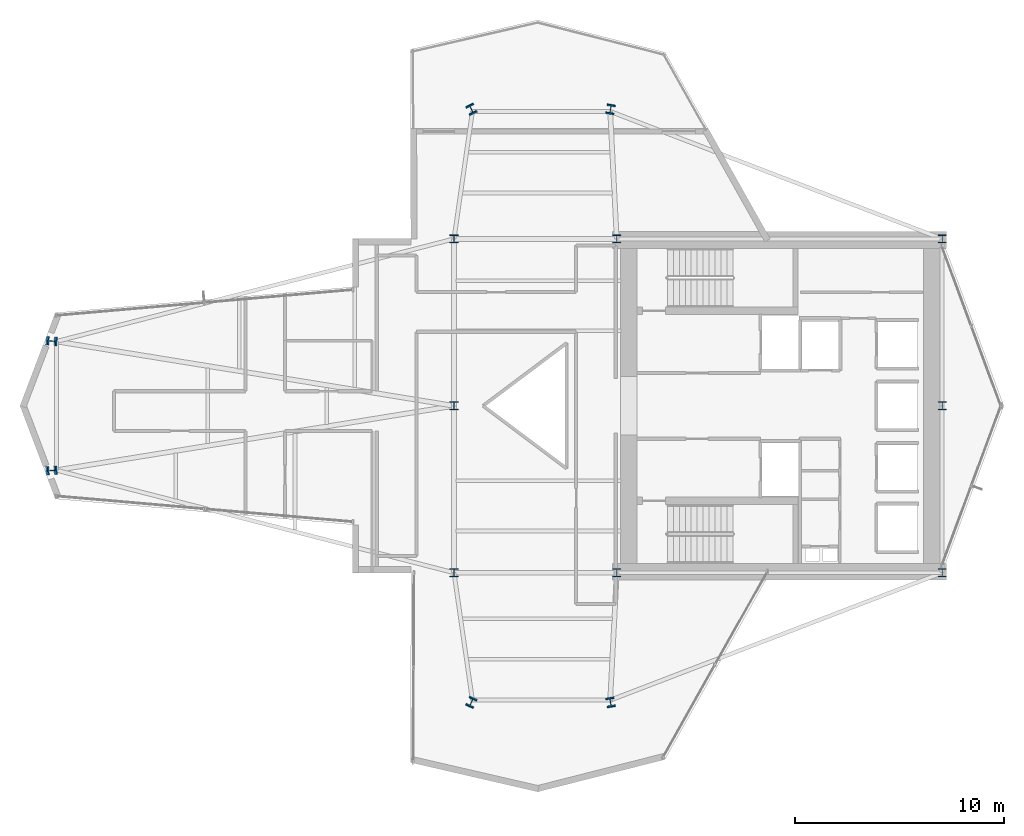
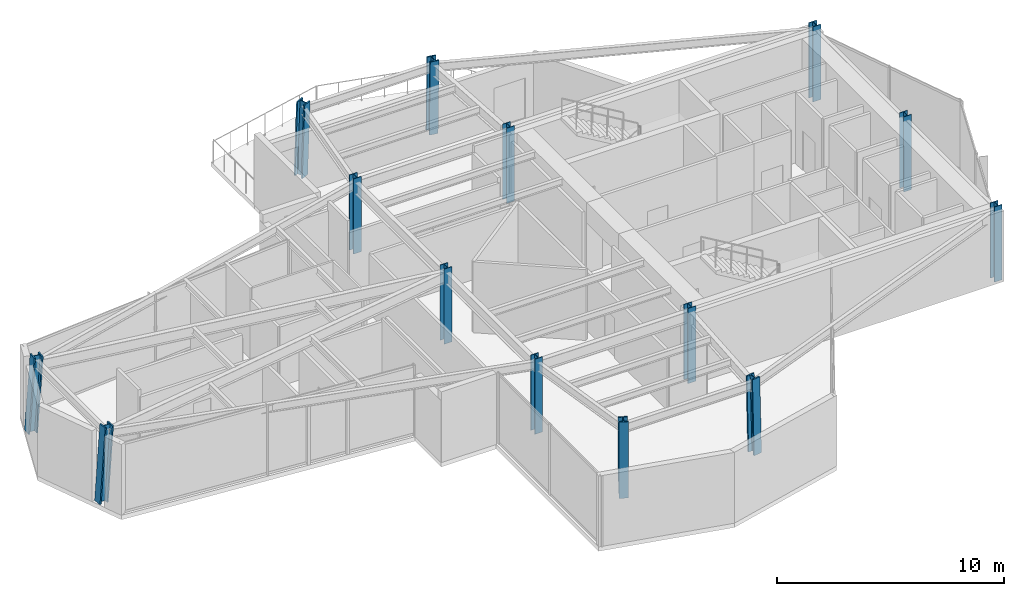
# One storey, part 1 of 23: 14 columns.
"""IFC4 building model written with IfcOpenShell, lengths in metres."""

import ifcopenshell
import ifcopenshell.guid

model = None  # the IFC model being written
_history = None  # IfcOwnerHistory: only IFC2X3 demands one
_inside = {}  # id of a spatial element -> (the spatial element, [elements in it])
_under = {}  # id of a project, library or spatial element -> (it, [spatial elements below it])
_declared = {}  # id of a project -> (the project, [libraries it declares])
_typed = {}  # id of a type object -> (the type object, [elements of that type])
_made_of = {}  # id of a material, layer set ... -> (it, [elements and type objects made of it])


def new_model(schema):
    """Start an empty IFC model of exactly this schema.

    Asked for "IFC4X3", IfcOpenShell would pick the latest addendum, in which some entities
    have other attributes; the version numbers below select the first issue.
    IFC2X3 requires an IfcOwnerHistory on every rooted entity: one is made here for all.
    """
    global model, _history
    if schema == "IFC4X3":
        model = ifcopenshell.file(schema_version=(4, 3, 0, 0))
    else:
        model = ifcopenshell.file(schema=schema)
    _inside.clear()
    _under.clear()
    _declared.clear()
    _typed.clear()
    _made_of.clear()
    _history = None
    if model.schema == "IFC2X3":
        org = make("IfcOrganization", Name="unknown")
        user = make(
            "IfcPersonAndOrganization",
            ThePerson=make("IfcPerson", FamilyName="unknown"),
            TheOrganization=org,
        )
        app = make(
            "IfcApplication",
            ApplicationDeveloper=org,
            Version="unknown",
            ApplicationFullName="unknown",
            ApplicationIdentifier="unknown",
        )
        _history = make(
            "IfcOwnerHistory",
            OwningUser=user,
            OwningApplication=app,
            ChangeAction="ADDED",
            CreationDate=0,
        )
    return model


def make(cls, **values):
    """One entity of the class cls with the attributes given. An attribute that is None is left unset."""
    return model.create_entity(
        cls, **{name: value for name, value in values.items() if value is not None}
    )


def rooted(cls, **values):
    """An entity with a GlobalId (a new one), such as an element, a storey or a relation."""
    return make(cls, GlobalId=ifcopenshell.guid.new(), OwnerHistory=_history, **values)


def si_unit(unit_type, name, prefix=None):
    """IfcSIUnit, for example si_unit("LENGTHUNIT", "METRE", prefix="MILLI")."""
    return make("IfcSIUnit", UnitType=unit_type, Prefix=prefix, Name=name)


def assignment(units):
    """IfcUnitAssignment: the units of a project."""
    return None if units is None else make("IfcUnitAssignment", Units=units)


def point(xyz):
    """IfcCartesianPoint."""
    return None if xyz is None else make("IfcCartesianPoint", Coordinates=xyz)


def direction(xyz):
    """IfcDirection."""
    return None if xyz is None else make("IfcDirection", DirectionRatios=xyz)


def frame(location, z_axis=None, x_axis=None):
    """IfcAxis2Placement3D, a coordinate frame: its origin and axes. An axis left out is left unset."""
    return make(
        "IfcAxis2Placement3D",
        Location=point(location),
        Axis=direction(z_axis),
        RefDirection=direction(x_axis),
    )


def frame_2d(location, x_axis=None):
    """IfcAxis2Placement2D, a coordinate frame in the plane: its origin and x axis."""
    return make(
        "IfcAxis2Placement2D", Location=point(location), RefDirection=direction(x_axis)
    )


def origin():
    """The frame at (0, 0, 0) with its axes left unset."""
    return frame((0.0, 0.0, 0.0))


def origin_2d():
    """The frame at (0, 0) in the plane with its x axis left unset."""
    return frame_2d((0.0, 0.0))


def place(relative_to, where):
    """IfcLocalPlacement: puts the frame where relative to a parent placement (None: the world)."""
    return make(
        "IfcLocalPlacement", PlacementRelTo=relative_to, RelativePlacement=where
    )


def context(
    kind, dimensions, precision=None, world=None, true_north=None, identifier=None
):
    """IfcGeometricRepresentationContext, for example the 3D "Model" context."""
    return make(
        "IfcGeometricRepresentationContext",
        ContextIdentifier=identifier,
        ContextType=kind,
        CoordinateSpaceDimension=dimensions,
        Precision=precision,
        WorldCoordinateSystem=world,
        TrueNorth=true_north,
    )


def subcontext(parent, identifier, kind, view, scale=None):
    """IfcGeometricRepresentationSubContext, for example "Body" below "Model"."""
    return make(
        "IfcGeometricRepresentationSubContext",
        ContextIdentifier=identifier,
        ContextType=kind,
        ParentContext=parent,
        TargetScale=scale,
        TargetView=view,
    )


def project(units=None, contexts=None):
    """IfcProject with its units and contexts."""
    return rooted(
        "IfcProject",
        Name="project",
        RepresentationContexts=contexts,
        UnitsInContext=assignment(units),
    )


def spatial(cls, under=None, at=None, **own):
    """A site, building, storey or space (cls), placed at a placement, below another one or the project."""
    s = rooted(cls, ObjectPlacement=at, **own)
    if under is not None:
        _under.setdefault(under.id(), (under, []))[1].append(s)
    return s


def profile(cls, at=None, kind="AREA", **sizes):
    """A parametric profile (cls). Its sizes go by their IFC names, for example OverallWidth=200.0."""
    return make(cls, ProfileType=kind, Position=at, **sizes)


def i_section(**sizes):
    """IfcIShapeProfileDef."""
    return profile("IfcIShapeProfileDef", **sizes)


def extrude(swept, where, along, depth):
    """IfcExtrudedAreaSolid: the profile swept, set in the frame where, extruded along a direction by depth."""
    return make(
        "IfcExtrudedAreaSolid",
        SweptArea=swept,
        Position=where,
        ExtrudedDirection=direction(along),
        Depth=depth,
    )


def shape(context_of_items, identifier, shape_type, items):
    """IfcShapeRepresentation: the items that make up one representation, for example the "Body"."""
    return make(
        "IfcShapeRepresentation",
        ContextOfItems=context_of_items,
        RepresentationIdentifier=identifier,
        RepresentationType=shape_type,
        Items=items,
    )


def material(Name=None, Category=None):
    """IfcMaterial."""
    return make("IfcMaterial", Name=Name, Category=Category)


def material_profile(
    of_material, cross_section, Name=None, Category=None, Priority=None
):
    """IfcMaterialProfile: a cross section and its material."""
    return make(
        "IfcMaterialProfile",
        Name=Name,
        Material=of_material,
        Profile=cross_section,
        Priority=Priority,
        Category=Category,
    )


def profile_set(profiles, Name=None, composite=None):
    """IfcMaterialProfileSet."""
    return make(
        "IfcMaterialProfileSet",
        Name=Name,
        MaterialProfiles=profiles,
        CompositeProfile=composite,
    )


def made_of(thing, what):
    """Note that an element or type object is made of a material, layer set ...; save() writes the relation."""
    if what is not None:
        _made_of.setdefault(what.id(), (what, []))[1].append(thing)
    return thing


def type_object(cls, material=None, **own):
    """A type object (cls), such as IfcWallType, which elements share."""
    return made_of(rooted(cls, **own), material)


def element(
    cls,
    number,
    at=None,
    inside=None,
    cuts=None,
    type_object=None,
    material=None,
    context=None,
    identifier="Body",
    shape_type=None,
    held_by="IfcProductDefinitionShape",
    body=None,
    shapes=None,
    **own,
):
    """One element of the class cls, such as IfcWall. Its Tag is "e" and its number.

    at: its placement. inside: the storey or other place that contains it. cuts: it is an
    opening in that element (IfcRelVoidsElement). A single representation is given by context,
    identifier, shape_type and body (its items); several are given by shapes. held_by: the class
    of the entity that holds the representations. save() writes the other relations.
    """
    e = rooted(cls, Tag="e%d" % number, ObjectPlacement=at, **own)
    if body is not None:
        shapes = [shape(context, identifier, shape_type, body)]
    if shapes is not None:
        e.Representation = make(held_by, Representations=shapes)
    if inside is not None:
        _inside.setdefault(inside.id(), (inside, []))[1].append(e)
    if cuts is not None:
        rooted(
            "IfcRelVoidsElement", RelatingBuildingElement=cuts, RelatedOpeningElement=e
        )
    if type_object is not None:
        _typed.setdefault(type_object.id(), (type_object, []))[1].append(e)
    return made_of(e, material)


def aggregate(whole, parts):
    """IfcRelAggregates: a whole, such as a stair, and the parts it consists of."""
    return rooted("IfcRelAggregates", RelatingObject=whole, RelatedObjects=parts)


def save(model, path):
    """Write the relations noted so far, then the file.

    IfcRelAggregates (storeys below a building ...), IfcRelContainedInSpatialStructure (elements
    in a storey), IfcRelDefinesByType, IfcRelAssociatesMaterial and IfcRelDeclares: one each for
    every whole, place, type object, material and project.
    """
    for whole, parts in _under.values():
        aggregate(whole, parts)
    for where, things in _inside.values():
        rooted(
            "IfcRelContainedInSpatialStructure",
            RelatedElements=things,
            RelatingStructure=where,
        )
    for kind, things in _typed.values():
        rooted("IfcRelDefinesByType", RelatedObjects=things, RelatingType=kind)
    for what, things in _made_of.values():
        rooted("IfcRelAssociatesMaterial", RelatedObjects=things, RelatingMaterial=what)
    for by, libraries in _declared.values():
        rooted("IfcRelDeclares", RelatingContext=by, RelatedDefinitions=libraries)
    model.write(path)


model = new_model("IFC4")

# Units and contexts
model_context = context("Model", 3, precision=1e-05, world=origin(), true_north=direction((0.0, 1.0)))
body_context = subcontext(model_context, "Body", "Model", "MODEL_VIEW")
ifc_project = project(units=[si_unit("LENGTHUNIT", "METRE"), si_unit("AREAUNIT", "SQUARE_METRE"), si_unit("VOLUMEUNIT", "CUBIC_METRE"), si_unit("PLANEANGLEUNIT", "RADIAN"), si_unit("MASSUNIT", "GRAM", prefix="KILO")], contexts=[model_context])

# Site, building, storey
site_placement = place(None, origin())
site = spatial("IfcSite", under=ifc_project, at=site_placement, CompositionType="ELEMENT")
building_placement = place(site_placement, origin())
building = spatial("IfcBuilding", under=site, at=building_placement, Name="Veymaron Broadcast Tower", CompositionType="ELEMENT")
storey_placement = place(building_placement, frame((0.0, 0.0, 165.449951171875)))
storey = spatial("IfcBuildingStorey", under=building, at=storey_placement, Name="L38", CompositionType="ELEMENT", Elevation=165.449951171875)

# Columns
ifc_material_1 = material(Name="Structural steel ASTM A992 Gr 50", Category="steel")
ifc_material_profile_1 = material_profile(ifc_material_1, i_section(OverallWidth=0.39794921875, OverallDepth=0.386962890625, WebThickness=0.02099609375, FlangeThickness=0.033203125, at=origin_2d()), Name="W360X262")
ifc_profile_set_1 = profile_set([ifc_material_profile_1], Name="Structural steel ASTM A992 Gr 50")
column_type_1 = type_object("IfcColumnType", Name="COL-HC2", PredefinedType="COLUMN", material=ifc_profile_set_1)
for number, where, z_axis, x_axis, name in (
    (1, (31.199951171875, 16.0, 0.0), (0.0, 0.0, 1.0), (1.0, 0.0, 0.0), "L38 structural hub and core column"),
    (2, (31.199951171875, 24.0, 0.0), (0.0, 0.0, 1.0), (1.0, 0.0, 0.0), "L38 structural hub and core column"),
    (3, (31.199951171875, 32.0, 0.0), (0.0, 0.0, 1.0), (1.0, 0.0, 0.0), "L38 structural hub and core column"),
    (4, (39.0, 16.0, 0.0), (0.0, 0.0, 1.0), (1.0, 0.0, 0.0), "L38 structural hub and core column"),
    (5, (39.0, 32.0, 0.0), (0.0, 0.0, 1.0), (1.0, 0.0, 0.0), "L38 structural hub and core column"),
    (6, (54.60009765625, 16.0, 0.0), (0.0, 0.0, 1.0), (1.0, 0.0, 0.0), "L38 structural hub and core column"),
    (7, (54.60009765625, 24.0, 0.0), (0.0, 0.0, 1.0), (1.0, 0.0, 0.0), "L38 structural hub and core column"),
    (8, (54.60009765625, 32.0, 0.0), (0.0, 0.0, 1.0), (1.0, 0.0, 0.0), "L38 structural hub and core column"),
):
    element("IfcColumn", number, at=place(storey_placement, frame(where, z_axis=z_axis, x_axis=x_axis)), inside=storey, type_object=column_type_1, Name=name, PredefinedType="COLUMN", context=body_context, shape_type="SweptSolid", body=[
        extrude(i_section(OverallWidth=0.39794921875, OverallDepth=0.386962890625, WebThickness=0.02099609375, FlangeThickness=0.033203125, at=origin_2d()), origin(), (0.0, 0.0, 1.0), 4.0439453125),
    ])
ifc_material_2 = material(Name="Structural steel ASTM A913 Gr 65", Category="steel")
ifc_material_profile_2 = material_profile(ifc_material_2, i_section(OverallWidth=0.41796875, OverallDepth=0.455078125, WebThickness=0.0419921875, FlangeThickness=0.067626953125, at=origin_2d()), Name="W360X551")
ifc_profile_set_2 = profile_set([ifc_material_profile_2], Name="Structural steel ASTM A913 Gr 65")
column_type_2 = type_object("IfcColumnType", Name="COL-MC2", PredefinedType="COLUMN", material=ifc_profile_set_2)
for number, where, z_axis, x_axis, name in (
    (9, (11.87109375, 20.89501953125, 0.01611328125), (0.068501649112, 0.00497091613, 0.997638618971), (-0.07237606013, 0.997377413981, 0.0), "L38 Tapered Wing Mega Column"),
    (10, (11.87109375, 27.10498046875, 0.01611328125), (0.068501649112, -0.00497091613, 0.997638618971), (0.07237606013, 0.997377413981, 0.0), "L38 Tapered Wing Mega Column"),
):
    element("IfcColumn", number, at=place(storey_placement, frame(where, z_axis=z_axis, x_axis=x_axis)), inside=storey, type_object=column_type_2, Name=name, PredefinedType="COLUMN", context=body_context, shape_type="SweptSolid", body=[
        extrude(i_section(OverallWidth=0.41796875, OverallDepth=0.455078125, WebThickness=0.0419921875, FlangeThickness=0.067626953125, at=origin_2d()), origin(), (0.0, 0.0, 1.0), 4.02734375),
    ])
column_1_placement = place(storey_placement, frame((32.02587890625, 38.22998046875, 0.01611328125), z_axis=(0.013968236766, -0.029819148922, 0.999457706318), x_axis=(0.905569653976, 0.424197597586, 0.0)))
element("IfcColumn", 11, at=column_1_placement, inside=storey, type_object=column_type_2, Name="L38 Tapered Wing Mega Column", PredefinedType="COLUMN", context=body_context, shape_type="SweptSolid", body=[
    extrude(i_section(OverallWidth=0.41796875, OverallDepth=0.455078125, WebThickness=0.0419921875, FlangeThickness=0.067626953125, at=origin_2d()), origin(), (0.0, 0.0, 1.0), 4.02001953125),
])
column_2_placement = place(storey_placement, frame((38.705078125, 38.22998046875, 0.01611328125), z_axis=(-0.004980404192, -0.029821688517, 0.99954282673), x_axis=(0.986339577116, -0.164724735893, 0.0)))
element("IfcColumn", 12, at=column_2_placement, inside=storey, type_object=column_type_2, Name="L38 Tapered Wing Mega Column", PredefinedType="COLUMN", context=body_context, shape_type="SweptSolid", body=[
    extrude(i_section(OverallWidth=0.41796875, OverallDepth=0.455078125, WebThickness=0.0419921875, FlangeThickness=0.067626953125, at=origin_2d()), origin(), (0.0, 0.0, 1.0), 4.019775390625),
])
column_3_placement = place(storey_placement, frame((32.02587890625, 9.77001953125, 0.01611328125), z_axis=(0.013968236766, 0.029819148922, 0.999457706318), x_axis=(-0.905569653976, 0.424197597586, 0.0)))
element("IfcColumn", 13, at=column_3_placement, inside=storey, type_object=column_type_2, Name="L38 Tapered Wing Mega Column", PredefinedType="COLUMN", context=body_context, shape_type="SweptSolid", body=[
    extrude(i_section(OverallWidth=0.41796875, OverallDepth=0.455078125, WebThickness=0.0419921875, FlangeThickness=0.067626953125, at=origin_2d()), origin(), (0.0, 0.0, 1.0), 4.02001953125),
])
column_4_placement = place(storey_placement, frame((38.705078125, 9.77001953125, 0.01611328125), z_axis=(-0.004980404192, 0.029821688517, 0.99954282673), x_axis=(-0.986339577116, -0.164724735893, 0.0)))
element("IfcColumn", 14, at=column_4_placement, inside=storey, type_object=column_type_2, Name="L38 Tapered Wing Mega Column", PredefinedType="COLUMN", context=body_context, shape_type="SweptSolid", body=[
    extrude(i_section(OverallWidth=0.41796875, OverallDepth=0.455078125, WebThickness=0.0419921875, FlangeThickness=0.067626953125, at=origin_2d()), origin(), (0.0, 0.0, 1.0), 4.019775390625),
])

save(model, "model.ifc")
